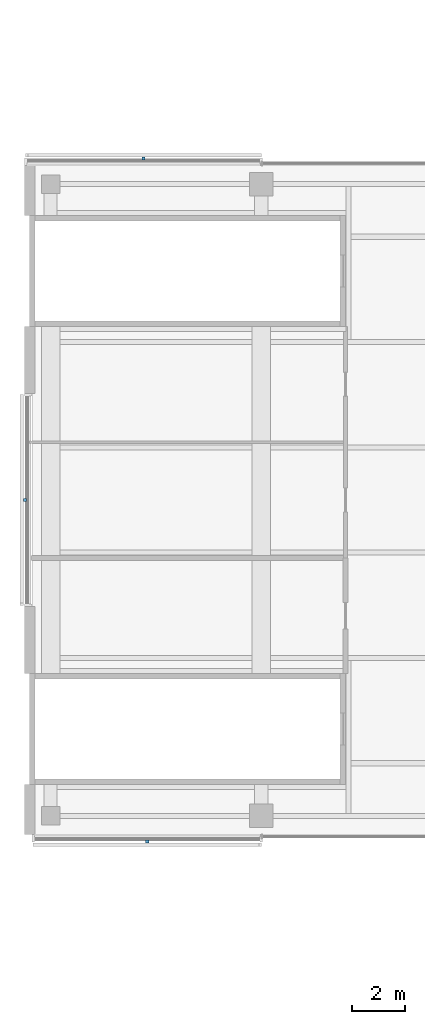
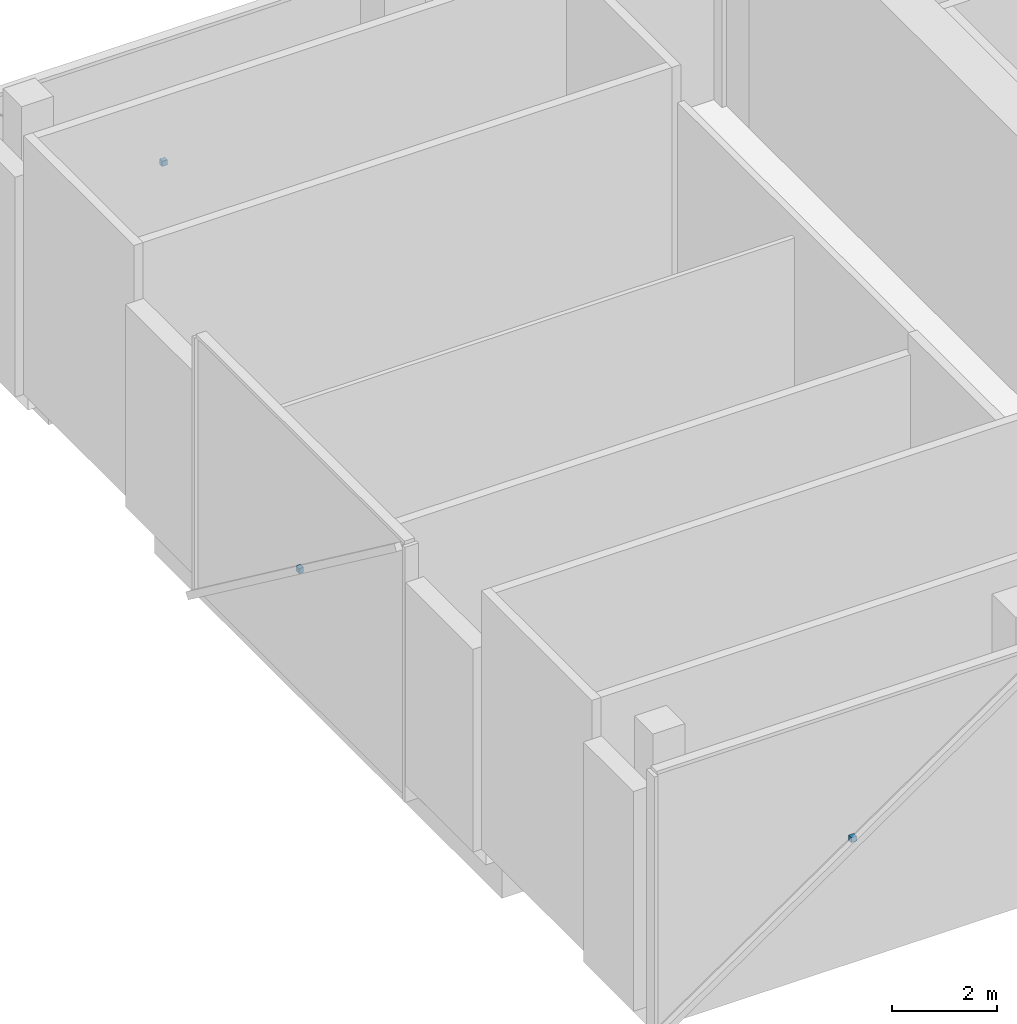
# One storey, part 20 of 23: 3 discrete accessories.
"""IFC4 building model written with IfcOpenShell, lengths in metres."""

from ifc_helpers import new_model, si_unit, direction, frame, origin, origin_2d, place, context, subcontext, project, spatial, rectangle, extrude, material, type_object, element, save


model = new_model("IFC4")

# Units and contexts
model_context = context("Model", 3, precision=1e-05, world=origin(), true_north=direction((0.0, 1.0)))
body_context = subcontext(model_context, "Body", "Model", "MODEL_VIEW")
ifc_project = project(units=[si_unit("LENGTHUNIT", "METRE"), si_unit("AREAUNIT", "SQUARE_METRE"), si_unit("VOLUMEUNIT", "CUBIC_METRE"), si_unit("PLANEANGLEUNIT", "RADIAN"), si_unit("MASSUNIT", "GRAM", prefix="KILO")], contexts=[model_context])

# Site, building, storey
site_placement = place(None, origin())
site = spatial("IfcSite", under=ifc_project, at=site_placement, CompositionType="ELEMENT")
building_placement = place(site_placement, origin())
building = spatial("IfcBuilding", under=site, at=building_placement, Name="Crosswind Convention Tower", CompositionType="ELEMENT")
storey_placement = place(building_placement, frame((0.0, 0.0, 41.5)))
storey = spatial("IfcBuildingStorey", under=building, at=storey_placement, Name="L05", CompositionType="ELEMENT", Elevation=41.5)

# Discrete accessories
ifc_material = material(Name="Stainless steel", Category="steel")
discrete_accessory_type = type_object("IfcDiscreteAccessoryType", Name="BAGUETTE BRACKET BK1", PredefinedType="BRACKET", material=ifc_material)
for number, where, z_axis, x_axis, name in (
    (1, (84.527587890625, 112.97412109375, 2.5), (0.0, 0.0, 1.0), (-1.0, 0.0, 0.0), "BK1 baguette bracket"),
    (2, (80.02587890625, 100.0, 2.5), (0.0, 0.0, 1.0), (0.0, -1.0, 0.0), "BK1 baguette bracket"),
    (3, (84.669921875, 87.02587890625, 2.5), (0.0, 0.0, 1.0), (1.0, 0.0, 0.0), "BK1 baguette bracket"),
):
    element("IfcDiscreteAccessory", number, at=place(storey_placement, frame(where, z_axis=z_axis, x_axis=x_axis)), inside=storey, type_object=discrete_accessory_type, Name=name, PredefinedType="BRACKET", context=body_context, shape_type="SweptSolid", body=[
        extrude(rectangle(XDim=0.1201171875, YDim=0.10009765625, at=origin_2d()), origin(), (0.0, 0.0, 1.0), 0.1201171875),
    ])

save(model, "model.ifc")
